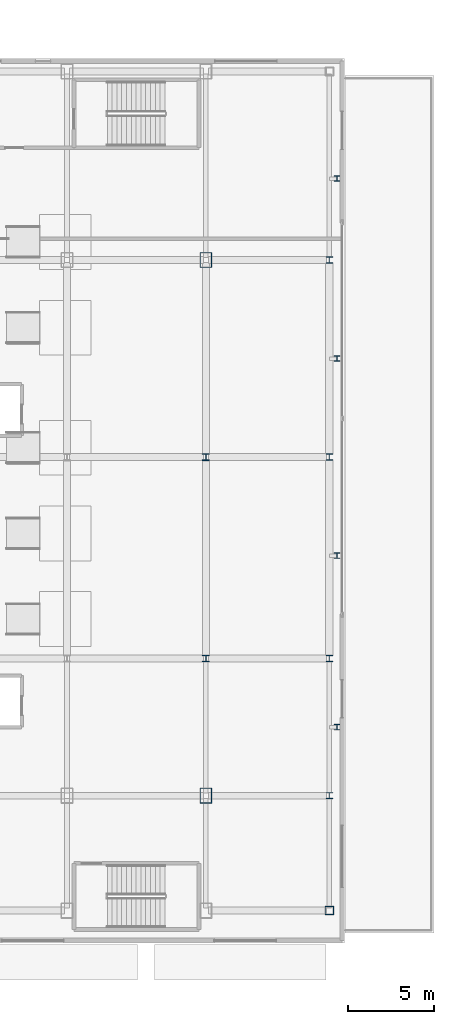
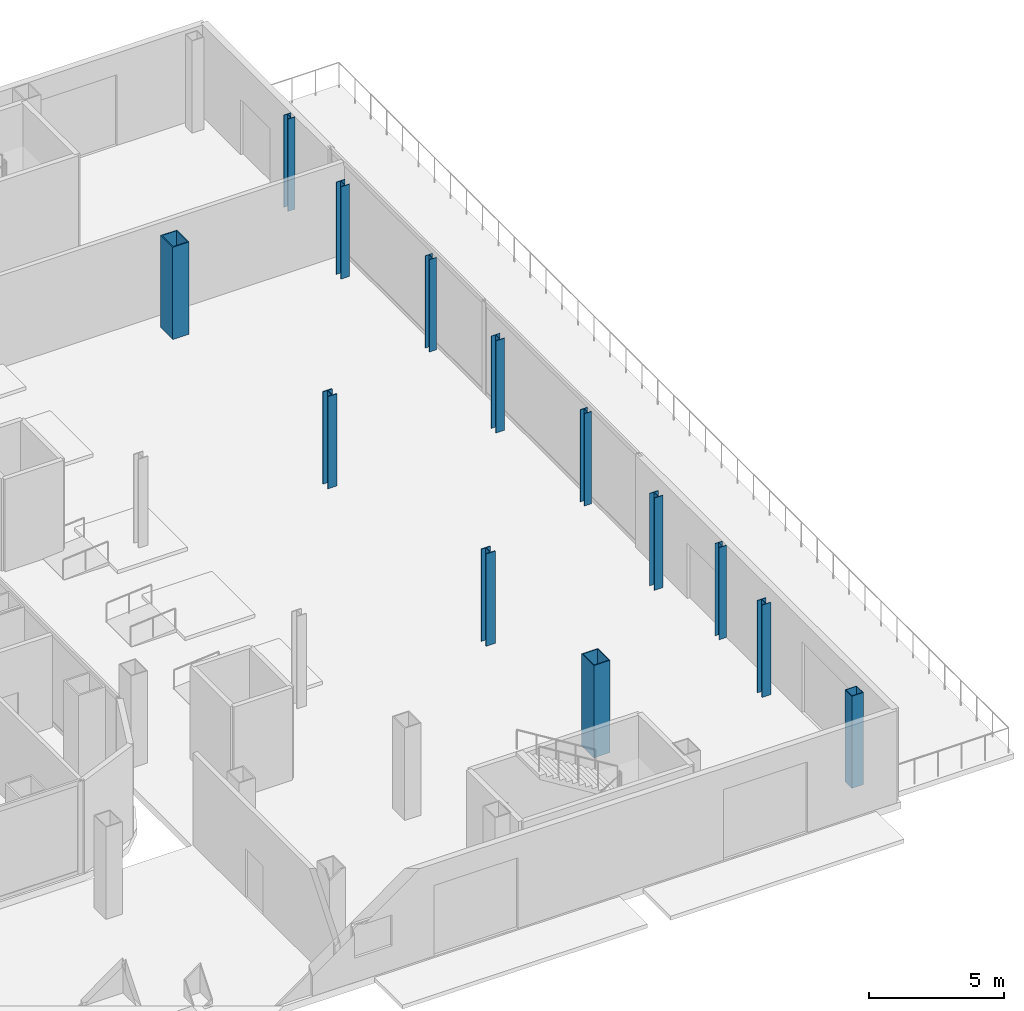
# One storey, part 3 of 31: 13 columns.
"""IFC4 building model written with IfcOpenShell, lengths in metres."""

from ifc_helpers import new_model, si_unit, direction, frame, origin, origin_2d, place, context, subcontext, project, spatial, hollow_rectangle, i_section, extrude, source, transform, mapped, material, material_profile, profile_set, type_object, element, save


model = new_model("IFC4")

# Units and contexts
model_context = context("Model", 3, precision=1e-05, world=origin(), true_north=direction((0.0, 1.0)))
body_context = subcontext(model_context, "Body", "Model", "MODEL_VIEW")
ifc_project = project(units=[si_unit("LENGTHUNIT", "METRE"), si_unit("AREAUNIT", "SQUARE_METRE"), si_unit("VOLUMEUNIT", "CUBIC_METRE"), si_unit("PLANEANGLEUNIT", "RADIAN"), si_unit("MASSUNIT", "GRAM", prefix="KILO")], contexts=[model_context])

# Site, building, storey
site_placement = place(None, origin())
site = spatial("IfcSite", under=ifc_project, at=site_placement, CompositionType="ELEMENT")
building_placement = place(site_placement, origin())
building = spatial("IfcBuilding", under=site, at=building_placement, Name="Kolveth Station Tower", CompositionType="ELEMENT")
storey_placement = place(building_placement, origin())
storey = spatial("IfcBuildingStorey", under=building, at=storey_placement, Name="L00", CompositionType="ELEMENT", Elevation=0.0)

# Columns
ifc_material = material(Name="Steel S355", Category="steel")
ifc_material_profile_1 = material_profile(ifc_material, hollow_rectangle(XDim=0.699951171875, YDim=0.89990234375, WallThickness=0.0400390625, at=origin_2d()), Name="BOX900x700x40")
ifc_profile_set_1 = profile_set([ifc_material_profile_1], Name="Steel S355")
column_type_1 = type_object("IfcColumnType", Name="Col_SC1", PredefinedType="COLUMN", material=ifc_profile_set_1)
shared_shape_1 = source(origin(), body_context, "Body", "SweptSolid", [
    extrude(hollow_rectangle(XDim=0.699951171875, YDim=0.89990234375, WallThickness=0.0400390625, at=origin_2d()), origin(), (0.0, 0.0, 1.0), 4.179931640625),
])
for number, where, z_axis, x_axis, name in (
    (1, (63.5, -2.5, 0.0), (0.0, 0.0, 1.0), (1.0, 0.0, 0.0), "L00 Station Column SE-3-2"),
    (2, (63.5, 28.75, 0.0), (0.0, 0.0, 1.0), (1.0, 0.0, 0.0), "L00 Station Column SE-3-5"),
):
    element("IfcColumn", number, at=place(storey_placement, frame(where, z_axis=z_axis, x_axis=x_axis)), inside=storey, type_object=column_type_1, Name=name, PredefinedType="COLUMN", context=body_context, shape_type="MappedRepresentation", body=[
        mapped(shared_shape_1, transform((0.0, 0.0, 0.0), x_axis=(1.0, 0.0, 0.0), y_axis=(0.0, 1.0, 0.0), z_axis=(0.0, 0.0, 1.0), scale=1.0)),
    ])
ifc_material_profile_2 = material_profile(ifc_material, i_section(OverallWidth=0.39892578125, OverallDepth=0.39306640625, WebThickness=0.022705078125, FlangeThickness=0.03662109375, at=origin_2d()), Name="W360x287")
ifc_profile_set_2 = profile_set([ifc_material_profile_2], Name="Steel S355")
column_type_2 = type_object("IfcColumnType", Name="Col_CW1", PredefinedType="COLUMN", material=ifc_profile_set_2)
shared_shape_2 = source(origin(), body_context, "Body", "SweptSolid", [
    extrude(i_section(OverallWidth=0.39892578125, OverallDepth=0.39306640625, WebThickness=0.022705078125, FlangeThickness=0.03662109375, at=origin_2d()), origin(), (0.0, 0.0, 1.0), 4.179931640625),
])
for number, where, z_axis, x_axis, name in (
    (3, (63.5, 5.5, 0.0), (0.0, 0.0, 1.0), (1.0, 0.0, 0.0), "L00 Station Column SE-3-3"),
    (4, (63.5, 17.25, 0.0), (0.0, 0.0, 1.0), (1.0, 0.0, 0.0), "L00 Station Column SE-3-4"),
):
    element("IfcColumn", number, at=place(storey_placement, frame(where, z_axis=z_axis, x_axis=x_axis)), inside=storey, type_object=column_type_2, Name=name, PredefinedType="COLUMN", context=body_context, shape_type="MappedRepresentation", body=[
        mapped(shared_shape_2, transform((0.0, 0.0, 0.0), x_axis=(1.0, 0.0, 0.0), y_axis=(0.0, 1.0, 0.0), z_axis=(0.0, 0.0, 1.0), scale=1.0)),
    ])
ifc_material_profile_3 = material_profile(ifc_material, hollow_rectangle(XDim=0.5, YDim=0.5, WallThickness=0.02490234375, at=origin_2d()), Name="HSS500x500x25")
ifc_profile_set_3 = profile_set([ifc_material_profile_3], Name="Steel S355")
column_type_3 = type_object("IfcColumnType", Name="Col_SC2", PredefinedType="COLUMN", material=ifc_profile_set_3)
shared_shape_3 = source(origin(), body_context, "Body", "SweptSolid", [
    extrude(hollow_rectangle(XDim=0.5, YDim=0.5, WallThickness=0.02490234375, at=origin_2d()), origin(), (0.0, 0.0, 1.0), 4.179931640625),
])
column_placement = place(storey_placement, frame((70.699951171875, -9.199951171875, 0.0), z_axis=(0.0, 0.0, 1.0), x_axis=(1.0, 0.0, 0.0)))
element("IfcColumn", 5, at=column_placement, inside=storey, type_object=column_type_3, Name="L00 Station Column SE-4-1", PredefinedType="COLUMN", context=body_context, shape_type="MappedRepresentation", body=[
    mapped(shared_shape_3, transform((0.0, 0.0, 0.0), x_axis=(1.0, 0.0, 0.0), y_axis=(0.0, 1.0, 0.0), z_axis=(0.0, 0.0, 1.0), scale=1.0)),
])
ifc_material_profile_4 = material_profile(ifc_material, i_section(OverallWidth=0.3740234375, OverallDepth=0.3720703125, WebThickness=0.016357421875, FlangeThickness=0.026123046875, at=origin_2d()), Name="W360x196")
ifc_profile_set_4 = profile_set([ifc_material_profile_4], Name="Steel S355")
column_type_4 = type_object("IfcColumnType", Name="Col_CW2", PredefinedType="COLUMN", material=ifc_profile_set_4)
shared_shape_4 = source(origin(), body_context, "Body", "SweptSolid", [
    extrude(i_section(OverallWidth=0.3740234375, OverallDepth=0.3720703125, WebThickness=0.016357421875, FlangeThickness=0.026123046875, at=origin_2d()), origin(), (0.0, 0.0, 1.0), 4.179931640625),
])
for number, where, z_axis, x_axis, name in (
    (6, (70.699951171875, -2.5, 0.0), (0.0, 0.0, 1.0), (1.0, 0.0, 0.0), "L00 Station Column SE-4-2"),
    (7, (70.699951171875, 5.5, 0.0), (0.0, 0.0, 1.0), (1.0, 0.0, 0.0), "L00 Station Column SE-4-3"),
    (8, (70.699951171875, 17.25, 0.0), (0.0, 0.0, 1.0), (1.0, 0.0, 0.0), "L00 Station Column SE-4-4"),
    (9, (70.699951171875, 28.75, 0.0), (0.0, 0.0, 1.0), (1.0, 0.0, 0.0), "L00 Station Column SE-4-5"),
):
    element("IfcColumn", number, at=place(storey_placement, frame(where, z_axis=z_axis, x_axis=x_axis)), inside=storey, type_object=column_type_4, Name=name, PredefinedType="COLUMN", context=body_context, shape_type="MappedRepresentation", body=[
        mapped(shared_shape_4, transform((0.0, 0.0, 0.0), x_axis=(1.0, 0.0, 0.0), y_axis=(0.0, 1.0, 0.0), z_axis=(0.0, 0.0, 1.0), scale=1.0)),
    ])
ifc_material_profile_5 = material_profile(ifc_material, i_section(OverallWidth=0.30908203125, OverallDepth=0.322998046875, WebThickness=0.013916015625, FlangeThickness=0.02294921875, at=origin_2d()), Name="W310x143")
ifc_profile_set_5 = profile_set([ifc_material_profile_5], Name="Steel S355")
column_type_5 = type_object("IfcColumnType", Name="Col_PL1", PredefinedType="PILASTER", material=ifc_profile_set_5)
shared_shape_5 = source(origin(), body_context, "Body", "SweptSolid", [
    extrude(i_section(OverallWidth=0.30908203125, OverallDepth=0.322998046875, WebThickness=0.013916015625, FlangeThickness=0.02294921875, at=origin_2d()), origin(), (0.0, 0.0, 1.0), 4.179931640625),
])
for number, where, z_axis, x_axis, name in (
    (10, (71.14990234375, 1.5, 0.0), (0.0, 0.0, 1.0), (1.0, 0.0, 0.0), "L00 Station Column SPL-1"),
    (11, (71.14990234375, 11.5, 0.0), (0.0, 0.0, 1.0), (1.0, 0.0, 0.0), "L00 Station Column SPL-2"),
    (12, (71.14990234375, 23.0, 0.0), (0.0, 0.0, 1.0), (1.0, 0.0, 0.0), "L00 Station Column SPL-3"),
    (13, (71.14990234375, 33.5, 0.0), (0.0, 0.0, 1.0), (1.0, 0.0, 0.0), "L00 Station Column SPL-4"),
):
    element("IfcColumn", number, at=place(storey_placement, frame(where, z_axis=z_axis, x_axis=x_axis)), inside=storey, type_object=column_type_5, Name=name, PredefinedType="PILASTER", context=body_context, shape_type="MappedRepresentation", body=[
        mapped(shared_shape_5, transform((0.0, 0.0, 0.0), x_axis=(1.0, 0.0, 0.0), y_axis=(0.0, 1.0, 0.0), z_axis=(0.0, 0.0, 1.0), scale=1.0)),
    ])

save(model, "model.ifc")
